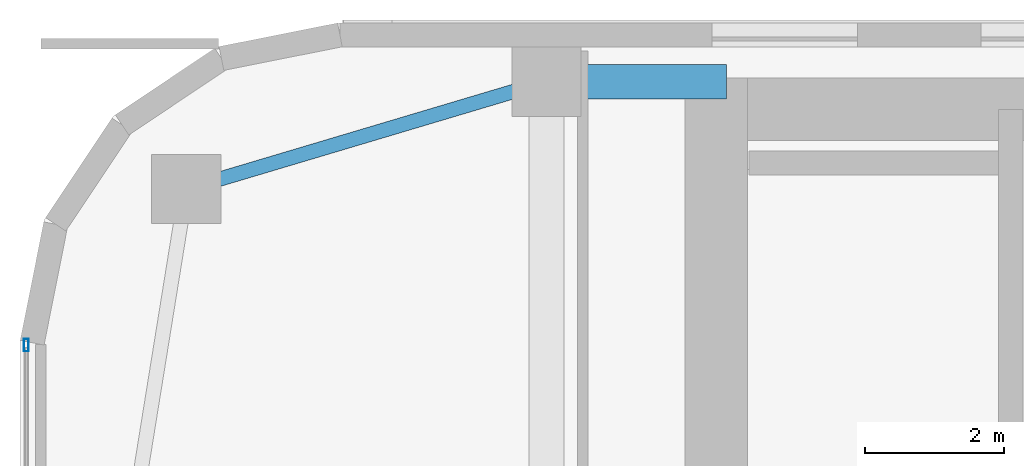
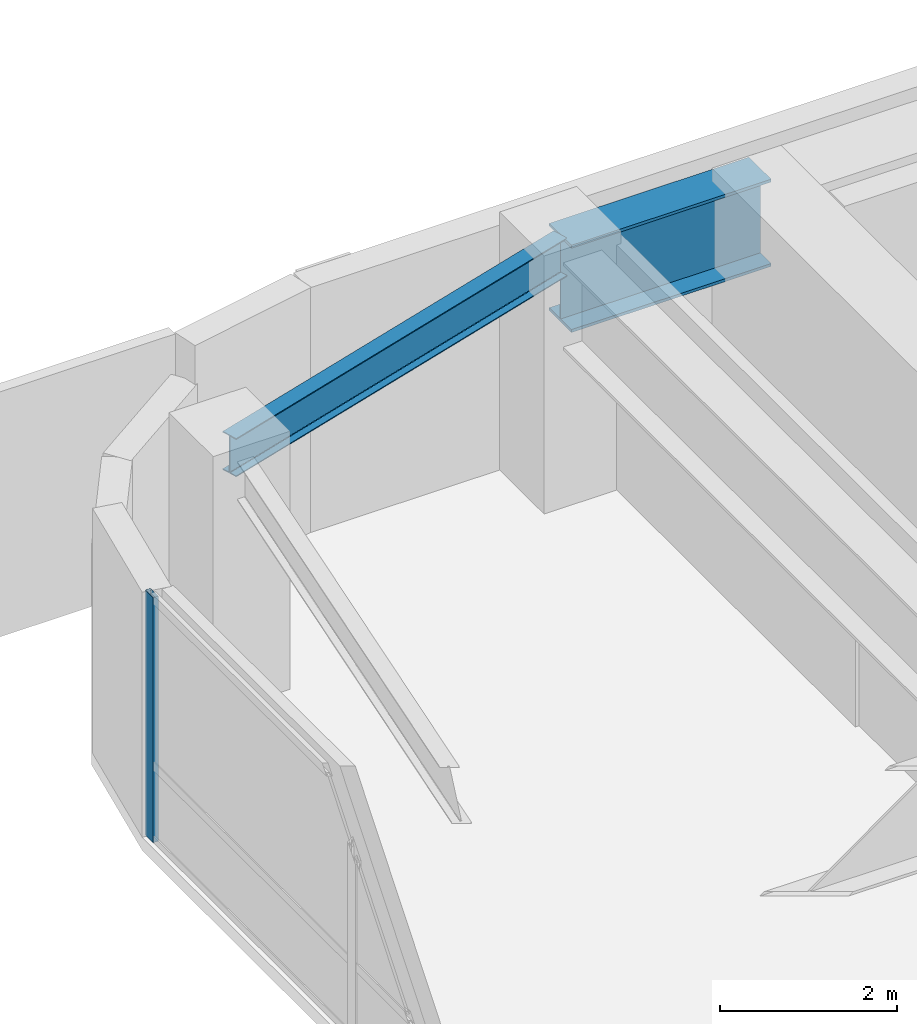
# One storey, part 24 of 37: 2 beams, 1 member, 1 element without a shape of its own.
"""IFC4 building model written with IfcOpenShell, lengths in metres."""

from ifc_helpers import new_model, si_unit, direction, frame, origin, origin_2d, place, context, subcontext, project, spatial, hollow_rectangle, i_section, extrude, source, transform, mapped, material, layer, layer_set, material_profile, profile_set, type_object, type_shapes, element, aggregate, save


model = new_model("IFC4")

# Units and contexts
model_context = context("Model", 3, precision=1e-05, world=origin(), true_north=direction((0.0, 1.0)))
body_context = subcontext(model_context, "Body", "Model", "MODEL_VIEW")
ifc_project = project(units=[si_unit("LENGTHUNIT", "METRE"), si_unit("AREAUNIT", "SQUARE_METRE"), si_unit("VOLUMEUNIT", "CUBIC_METRE"), si_unit("PLANEANGLEUNIT", "RADIAN"), si_unit("MASSUNIT", "GRAM", prefix="KILO")], contexts=[model_context])

# Site, building, storey
site_placement = place(None, origin())
site = spatial("IfcSite", under=ifc_project, at=site_placement, CompositionType="ELEMENT")
building_placement = place(site_placement, origin())
building = spatial("IfcBuilding", under=site, at=building_placement, Name="Tolvann Quenvar Hotel", CompositionType="ELEMENT")
storey_placement = place(building_placement, frame((0.0, 0.0, 53.300048828125)))
storey = spatial("IfcBuildingStorey", under=building, at=storey_placement, Name="L12", CompositionType="ELEMENT", Elevation=53.300048828125)

# Beams
ifc_material_1 = material(Name="Steel Grade 350", Category="steel")
ifc_material_profile_1 = material_profile(ifc_material_1, i_section(OverallWidth=0.208984375, OverallDepth=0.528076171875, WebThickness=0.009521484375, FlangeThickness=0.01318359375, FilletRadius=0.013916015625, at=origin_2d()), Name="530UB82")
ifc_profile_set_1 = profile_set([ifc_material_profile_1], Name="Steel Grade 350")
beam_type_1 = type_object("IfcBeamType", Name="BM_SPAND_530UB82", PredefinedType="SPANDREL", material=ifc_profile_set_1)
shared_shape_1 = source(origin(), body_context, "Body", "SweptSolid", [
    extrude(i_section(OverallWidth=0.208984375, OverallDepth=0.528076171875, WebThickness=0.009521484375, FlangeThickness=0.01318359375, FilletRadius=0.013916015625, at=origin_2d()), origin(), (0.0, 0.0, 1.0), 5.42626953125),
])
type_shapes(beam_type_1, [shared_shape_1])
beam_1_placement = place(storey_placement, frame((2.39990234375, 43.60009765625, 3.10595703125), z_axis=(0.958344815522, 0.285613750654, 0.0), x_axis=(-0.285613750654, 0.958344815522, 0.0)))
element("IfcBeam", 1, at=beam_1_placement, inside=storey, type_object=beam_type_1, Name="BM-L12-FLK-W3", PredefinedType="SPANDREL", context=body_context, shape_type="MappedRepresentation", body=[
    mapped(shared_shape_1, transform((0.0, 0.0, 0.0), x_axis=(1.0, 0.0, 0.0), y_axis=(0.0, 1.0, 0.0), z_axis=(0.0, 0.0, 1.0), scale=1.0)),
])
ifc_material_profile_2 = material_profile(ifc_material_1, i_section(OverallWidth=0.5, OverallDepth=1.199951171875, WebThickness=0.01611328125, FlangeThickness=0.0400390625, at=origin_2d()), Name="1200WB455")
ifc_profile_set_2 = profile_set([ifc_material_profile_2], Name="Steel Grade 350")
beam_type_2 = type_object("IfcBeamType", Name="BM_TG_1200WB455", PredefinedType="USERDEFINED", material=ifc_profile_set_2)
shared_shape_2 = source(origin(), body_context, "Body", "SweptSolid", [
    extrude(i_section(OverallWidth=0.5, OverallDepth=1.199951171875, WebThickness=0.01611328125, FlangeThickness=0.0400390625, at=origin_2d()), origin(), (0.0, 0.0, 1.0), 2.599853515625),
])
type_shapes(beam_type_2, [shared_shape_2])
beam_2_placement = place(storey_placement, frame((7.60009765625, 45.14990234375, 2.77001953125), z_axis=(1.0, 0.0, 0.0), x_axis=(0.0, 1.0, 0.0)))
element("IfcBeam", 2, at=beam_2_placement, inside=storey, type_object=beam_type_2, Name="BM-L12-CTW-CN", ObjectType="TRANSFER GIRDER", PredefinedType="USERDEFINED", context=body_context, shape_type="MappedRepresentation", body=[
    mapped(shared_shape_2, transform((0.0, 0.0, 0.0), x_axis=(1.0, 0.0, 0.0), y_axis=(0.0, 1.0, 0.0), z_axis=(0.0, 0.0, 1.0), scale=1.0)),
])

# Curtain wall, member
ifc_material_2 = material(Name="Thermally broken anodised architectural aluminium 6063-T6 and laminated low-E glass", Category="aluminium")
ifc_layer = layer(ifc_material_2, 0.179931640625)
ifc_layer_set = layer_set([ifc_layer], Name="Thermally broken anodised architectural aluminium 6063-T6 and laminated low-E glass")
curtain_wall_type = type_object("IfcCurtainWallType", Name="CW_SYS_BAND_04", PredefinedType="USERDEFINED", material=ifc_layer_set)
curtain_wall_placement = place(storey_placement, origin())
curtain_wall = element("IfcCurtainWall", 3, at=curtain_wall_placement, inside=storey, type_object=curtain_wall_type, Name="Curtain Wall CW-BAND-04 (CWR-L12-E23)", ObjectType="UNITISED CURTAIN WALL", PredefinedType="USERDEFINED")
ifc_material_3 = material(Name="Anodised architectural aluminium 6063-T6 framing", Category="aluminium")
ifc_material_profile_3 = material_profile(ifc_material_3, hollow_rectangle(XDim=0.070068359375, YDim=0.179931640625, WallThickness=0.00390625, at=origin_2d()), Name="180x70x4RHS")
ifc_profile_set_3 = profile_set([ifc_material_profile_3], Name="Anodised architectural aluminium 6063-T6 framing")
member_type = type_object("IfcMemberType", Name="CW_MULL_180x70", PredefinedType="MULLION", material=ifc_profile_set_3)
shared_shape_3 = source(origin(), body_context, "Body", "SweptSolid", [
    extrude(hollow_rectangle(XDim=0.070068359375, YDim=0.179931640625, WallThickness=0.00390625, at=origin_2d()), origin(), (0.0, 0.0, 1.0), 3.369873046875),
])
type_shapes(member_type, [shared_shape_3])
member_placement = place(storey_placement, frame((0.090087890625, 41.347900390625, 0.0), z_axis=(0.0, 0.0, 1.0), x_axis=(1.0, 0.0, 0.0)))
member = element("IfcMember", 4, at=member_placement, type_object=member_type, Name="CW-BAND-04 mullion 1", PredefinedType="MULLION", context=body_context, shape_type="MappedRepresentation", body=[
    mapped(shared_shape_3, transform((0.0, 0.0, 0.0), x_axis=(1.0, 0.0, 0.0), y_axis=(0.0, 1.0, 0.0), z_axis=(0.0, 0.0, 1.0), scale=1.0)),
])
aggregate(curtain_wall, [member])

save(model, "model.ifc")
